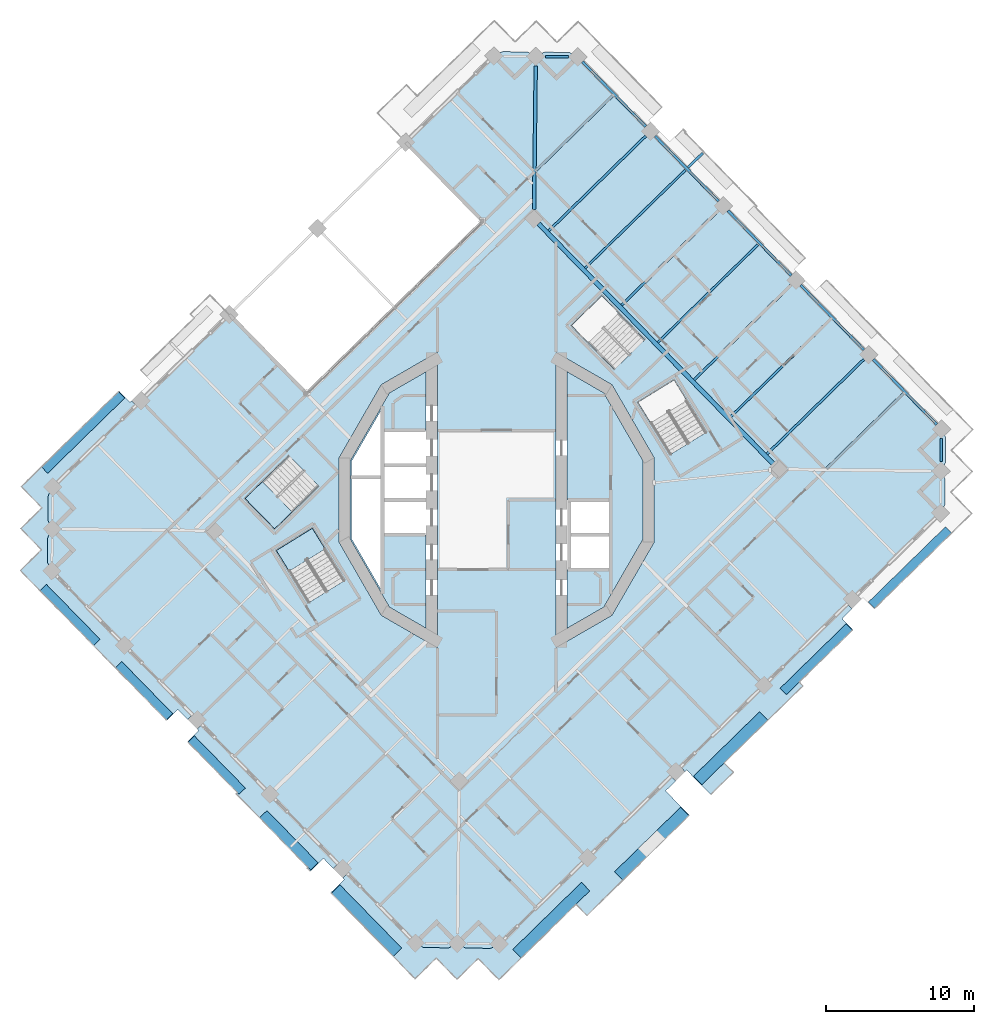
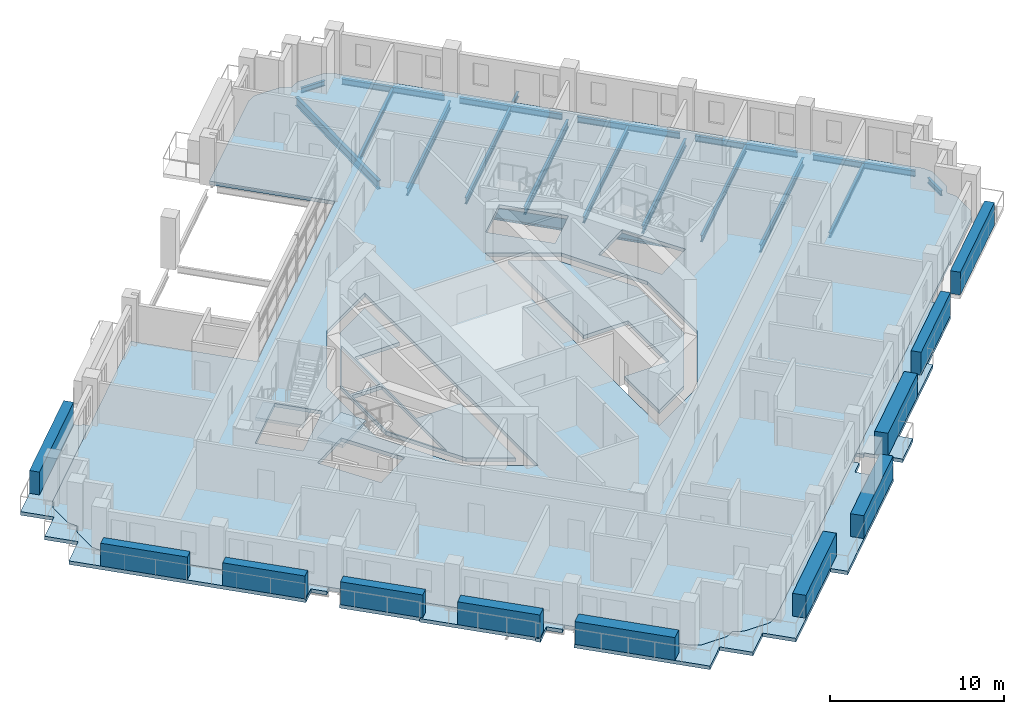
# One storey, part 3 of 18: 19 beams, 11 plates, 9 slabs, 2 elements without a shape of their own.
"""IFC4 building model written with IfcOpenShell, lengths in metres."""

from ifc_helpers import new_model, si_unit, direction, frame, origin, origin_2d, place, context, subcontext, project, spatial, polyline, rectangle, i_section, outline, extrude, material, layer, layer_set, material_profile, profile_set, type_object, element, aggregate, save


model = new_model("IFC4")

# Units and contexts
model_context = context("Model", 3, precision=1e-05, world=origin(), true_north=direction((0.0, 1.0)))
body_context = subcontext(model_context, "Body", "Model", "MODEL_VIEW")
ifc_project = project(units=[si_unit("LENGTHUNIT", "METRE"), si_unit("AREAUNIT", "SQUARE_METRE"), si_unit("VOLUMEUNIT", "CUBIC_METRE"), si_unit("PLANEANGLEUNIT", "RADIAN"), si_unit("MASSUNIT", "GRAM", prefix="KILO")], contexts=[model_context])

# Site, building, storey
site_placement = place(None, origin())
site = spatial("IfcSite", under=ifc_project, at=site_placement, CompositionType="ELEMENT")
building_placement = place(site_placement, origin())
building = spatial("IfcBuilding", under=site, at=building_placement, Name="Cantera Rosa Tower", CompositionType="ELEMENT")
storey_placement = place(building_placement, frame((0.0, 0.0, 219.800048828125)))
storey = spatial("IfcBuildingStorey", under=building, at=storey_placement, Name="L47", CompositionType="ELEMENT", Elevation=219.800048828125)

# Beams
ifc_material_1 = material(Name="Steel ASTM A992 (Fy 345 MPa)", Category="steel")
ifc_material_profile_1 = material_profile(ifc_material_1, i_section(OverallWidth=0.302001953125, OverallDepth=1.010009765625, WebThickness=0.02099609375, FlangeThickness=0.0400390625, FilletRadius=0.030029296875, at=origin_2d()), Name="W1000X350")
ifc_profile_set_1 = profile_set([ifc_material_profile_1], Name="Steel ASTM A992 (Fy 345 MPa)")
beam_type_1 = type_object("IfcBeamType", Name="STEEL BEAM W1000X350", PredefinedType="BEAM", material=ifc_profile_set_1)
beam_1_placement = place(storey_placement, frame((18.69677734375, 2.39892578125, -0.755126953125), z_axis=(-0.698831294804, 0.715286530981, 0.0), x_axis=(-0.715286530981, -0.698831294804, 0.0)))
element("IfcBeam", 1, at=beam_1_placement, inside=storey, type_object=beam_type_1, Name="RB-Z4-05 L47", PredefinedType="BEAM", context=body_context, shape_type="SweptSolid", body=[
    extrude(i_section(OverallWidth=0.302001953125, OverallDepth=1.010009765625, WebThickness=0.02099609375, FlangeThickness=0.0400390625, FilletRadius=0.030029296875, at=origin_2d()), origin(), (0.0, 0.0, 1.0), 22.7001953125),
])
ifc_material_2 = material(Name="Steel ASTM A992 (Fy 345 MPa)", Category="steel")
ifc_material_profile_2 = material_profile(ifc_material_2, i_section(OverallWidth=0.166015625, OverallDepth=0.528076171875, WebThickness=0.009765625, FlangeThickness=0.013671875, FilletRadius=0.0126953125, at=origin_2d()), Name="W530X74")
ifc_profile_set_2 = profile_set([ifc_material_profile_2], Name="Steel ASTM A992 (Fy 345 MPa)")
beam_type_2 = type_object("IfcBeamType", Name="STEEL BEAM W530X74", PredefinedType="BEAM", material=ifc_profile_set_2)
for number, where, z_axis, x_axis, name in (
    (2, (24.77587890625, 9.484619140625, -0.51416015625), (-0.71529025682, -0.698827481213, 0.0), (0.698827481213, -0.71529025682, 0.0), "G-Z4-01 L47"),
    (3, (19.8701171875, 14.505859375, -0.51416015625), (-0.71529025682, -0.698827481213, 0.0), (0.698827481213, -0.71529025682, 0.0), "G-Z4-02 L47"),
    (4, (14.96435546875, 19.527099609375, -0.51416015625), (-0.71529025682, -0.698827481213, 0.0), (0.698827481213, -0.71529025682, 0.0), "G-Z4-03 L47"),
    (5, (10.05859375, 24.548583984375, -0.51416015625), (-0.71529025682, -0.698827481213, 0.0), (0.698827481213, -0.71529025682, 0.0), "G-Z4-04 L47"),
):
    element("IfcBeam", number, at=place(storey_placement, frame(where, z_axis=z_axis, x_axis=x_axis)), inside=storey, type_object=beam_type_2, Name=name, PredefinedType="BEAM", context=body_context, shape_type="SweptSolid", body=[
        extrude(i_section(OverallWidth=0.166015625, OverallDepth=0.528076171875, WebThickness=0.009765625, FlangeThickness=0.013671875, FilletRadius=0.0126953125, at=origin_2d()), origin(), (0.0, 0.0, 1.0), 9.14990234375),
    ])
ifc_material_3 = material(Name="Steel ASTM A992 (Fy 345 MPa)", Category="steel")
ifc_material_profile_3 = material_profile(ifc_material_3, i_section(OverallWidth=0.22802734375, OverallDepth=0.60205078125, WebThickness=0.010498046875, FlangeThickness=0.014892578125, FilletRadius=0.0126953125, at=origin_2d()), Name="W610X101")
ifc_profile_set_3 = profile_set([ifc_material_profile_3], Name="Steel ASTM A992 (Fy 345 MPa)")
beam_type_3 = type_object("IfcBeamType", Name="STEEL BEAM W610X101", PredefinedType="BEAM", material=ifc_profile_set_3)
beam_2_placement = place(storey_placement, frame((2.638916015625, 29.28076171875, -0.551025390625), z_axis=(-0.011618330597, -0.999932504919, 0.0), x_axis=(0.999932504919, -0.011618330597, 0.0)))
element("IfcBeam", 6, at=beam_2_placement, inside=storey, type_object=beam_type_3, Name="CB-Z4-01 L47", PredefinedType="BEAM", context=body_context, shape_type="SweptSolid", body=[
    extrude(i_section(OverallWidth=0.22802734375, OverallDepth=0.60205078125, WebThickness=0.010498046875, FlangeThickness=0.014892578125, FilletRadius=0.0126953125, at=origin_2d()), origin(), (0.0, 0.0, 1.0), 9.687255859375),
])
ifc_material_4 = material(Name="Steel ASTM A992 (Fy 345 MPa)", Category="steel")
ifc_material_profile_4 = material_profile(ifc_material_4, i_section(OverallWidth=0.1708984375, OverallDepth=0.35595703125, WebThickness=0.00732421875, FlangeThickness=0.01171875, FilletRadius=0.010009765625, at=origin_2d()), Name="W360X51")
ifc_profile_set_4 = profile_set([ifc_material_profile_4], Name="Steel ASTM A992 (Fy 345 MPa)")
beam_type_4 = type_object("IfcBeamType", Name="STEEL JOIST W360X51", PredefinedType="JOIST", material=ifc_profile_set_4)
for number, where, z_axis, x_axis, name in (
    (7, (27.443359375, 7.18359375, -0.427978515625), (-0.715287213552, -0.69883059616, 0.0), (0.69883059616, -0.715287213552, 0.0), "B-Z4-01 L47"),
    (8, (7.8203125, 27.268798828125, -0.427978515625), (-0.715287213552, -0.69883059616, 0.0), (0.69883059616, -0.715287213552, 0.0), "B-Z4-05 L47"),
):
    element("IfcBeam", number, at=place(storey_placement, frame(where, z_axis=z_axis, x_axis=x_axis)), inside=storey, type_object=beam_type_4, Name=name, PredefinedType="JOIST", context=body_context, shape_type="SweptSolid", body=[
        extrude(i_section(OverallWidth=0.1708984375, OverallDepth=0.35595703125, WebThickness=0.00732421875, FlangeThickness=0.01171875, FilletRadius=0.010009765625, at=origin_2d()), origin(), (0.0, 0.0, 1.0), 7.2099609375),
    ])
beam_3_placement = place(storey_placement, frame((12.92626953125, 22.443115234375, -0.427978515625), z_axis=(0.715278545481, 0.698839468243, 0.0), x_axis=(-0.698839468243, 0.715278545481, 0.0)))
element("IfcBeam", 9, at=beam_3_placement, inside=storey, type_object=beam_type_4, Name="BS-Z4-08 L47", PredefinedType="JOIST", context=body_context, shape_type="SweptSolid", body=[
    extrude(i_section(OverallWidth=0.1708984375, OverallDepth=0.35595703125, WebThickness=0.00732421875, FlangeThickness=0.01171875, FilletRadius=0.010009765625, at=origin_2d()), origin(), (0.0, 0.0, 1.0), 1.3662109375),
])
ifc_material_5 = material(Name="Steel ASTM A992 (Fy 345 MPa)", Category="steel")
ifc_material_profile_5 = material_profile(ifc_material_5, i_section(OverallWidth=0.154052734375, OverallDepth=0.4599609375, WebThickness=0.009033203125, FlangeThickness=0.015380859375, FilletRadius=0.01025390625, at=origin_2d()), Name="W460X68")
ifc_profile_set_5 = profile_set([ifc_material_profile_5], Name="Steel ASTM A992 (Fy 345 MPa)")
beam_type_5 = type_object("IfcBeamType", Name="STEEL JOIST W460X68", PredefinedType="JOIST", material=ifc_profile_set_5)
for number, where, z_axis, x_axis, name in (
    (10, (22.53759765625, 12.204833984375, -0.47998046875), (-0.715287278354, -0.698830529832, 0.0), (0.698830529832, -0.715287278354, 0.0), "B-Z4-02 L47"),
    (11, (17.6318359375, 17.226318359375, -0.47998046875), (-0.715287278354, -0.698830529832, 0.0), (0.698830529832, -0.715287278354, 0.0), "B-Z4-03 L47"),
    (12, (12.72607421875, 22.24755859375, -0.47998046875), (-0.715287278354, -0.698830529832, 0.0), (0.698830529832, -0.715287278354, 0.0), "B-Z4-04 L47"),
):
    element("IfcBeam", number, at=place(storey_placement, frame(where, z_axis=z_axis, x_axis=x_axis)), inside=storey, type_object=beam_type_5, Name=name, PredefinedType="JOIST", context=body_context, shape_type="SweptSolid", body=[
        extrude(i_section(OverallWidth=0.154052734375, OverallDepth=0.4599609375, WebThickness=0.009033203125, FlangeThickness=0.015380859375, FilletRadius=0.01025390625, at=origin_2d()), origin(), (0.0, 0.0, 1.0), 9.4501953125),
    ])
ifc_material_6 = material(Name="Steel ASTM A992 (Fy 345 MPa)", Category="steel")
ifc_material_profile_6 = material_profile(ifc_material_6, i_section(OverallWidth=0.1708984375, OverallDepth=0.35595703125, WebThickness=0.00732421875, FlangeThickness=0.01171875, FilletRadius=0.010009765625, at=origin_2d()), Name="W360X51")
ifc_profile_set_6 = profile_set([ifc_material_profile_6], Name="Steel ASTM A992 (Fy 345 MPa)")
beam_type_6 = type_object("IfcBeamType", Name="STEEL SPANDREL BEAM W360X51", PredefinedType="SPANDREL", material=ifc_profile_set_6)
for number, where, z_axis, x_axis, name in (
    (13, (4.838134765625, 29.8916015625, -0.427978515625), (-0.999930716123, 0.011771276677, 0.0), (-0.011771276677, -0.999930716123, 0.0), "EB-Z4-06 L47"),
    (14, (29.97802734375, 2.5859375, -0.427978515625), (0.011614347636, 0.99993255119, 0.0), (-0.99993255119, 0.011614347636, 0.0), "EB-Z4-28 L47"),
):
    element("IfcBeam", number, at=place(storey_placement, frame(where, z_axis=z_axis, x_axis=x_axis)), inside=storey, type_object=beam_type_6, Name=name, PredefinedType="SPANDREL", context=body_context, shape_type="SweptSolid", body=[
        extrude(i_section(OverallWidth=0.1708984375, OverallDepth=0.35595703125, WebThickness=0.00732421875, FlangeThickness=0.01171875, FilletRadius=0.010009765625, at=origin_2d()), origin(), (0.0, 0.0, 1.0), 1.555419921875),
    ])
ifc_material_7 = material(Name="Steel ASTM A992 (Fy 345 MPa)", Category="steel")
ifc_material_profile_7 = material_profile(ifc_material_7, i_section(OverallWidth=0.177978515625, OverallDepth=0.406005859375, WebThickness=0.0078125, FlangeThickness=0.0126953125, FilletRadius=0.01025390625, at=origin_2d()), Name="W410X60")
ifc_profile_set_7 = profile_set([ifc_material_profile_7], Name="Steel ASTM A992 (Fy 345 MPa)")
beam_type_7 = type_object("IfcBeamType", Name="STEEL SPANDREL BEAM W410X60", PredefinedType="SPANDREL", material=ifc_profile_set_7)
beam_4_placement = place(storey_placement, frame((29.689208984375, 5.099609375, -0.453125), z_axis=(-0.69882117953, 0.715296413412, 0.0), x_axis=(-0.715296413412, -0.69882117953, 0.0)))
element("IfcBeam", 15, at=beam_4_placement, inside=storey, type_object=beam_type_7, Name="EB-Z4-01 L47", PredefinedType="SPANDREL", context=body_context, shape_type="SweptSolid", body=[
    extrude(i_section(OverallWidth=0.177978515625, OverallDepth=0.406005859375, WebThickness=0.0078125, FlangeThickness=0.0126953125, FilletRadius=0.01025390625, at=origin_2d()), origin(), (0.0, 0.0, 1.0), 6.1201171875),
])
for number, where, z_axis, x_axis, name in (
    (16, (24.783203125, 10.120849609375, -0.453125), (-0.698800768177, 0.715316354067, 0.0), (-0.715316354067, -0.698800768177, 0.0), "EB-Z4-02 L47"),
    (17, (19.87744140625, 15.142333984375, -0.453125), (-0.698841120217, 0.71527693147, 0.0), (-0.71527693147, -0.698841120217, 0.0), "EB-Z4-03 L47"),
    (18, (14.9716796875, 20.16357421875, -0.453125), (-0.698841120217, 0.71527693147, 0.0), (-0.71527693147, -0.698841120217, 0.0), "EB-Z4-04 L47"),
):
    element("IfcBeam", number, at=place(storey_placement, frame(where, z_axis=z_axis, x_axis=x_axis)), inside=storey, type_object=beam_type_7, Name=name, PredefinedType="SPANDREL", context=body_context, shape_type="SweptSolid", body=[
        extrude(i_section(OverallWidth=0.177978515625, OverallDepth=0.406005859375, WebThickness=0.0078125, FlangeThickness=0.0126953125, FilletRadius=0.01025390625, at=origin_2d()), origin(), (0.0, 0.0, 1.0), 6.119873046875),
    ])
beam_5_placement = place(storey_placement, frame((10.06591796875, 25.184814453125, -0.453125), z_axis=(-0.69882117953, 0.715296413412, 0.0), x_axis=(-0.715296413412, -0.69882117953, 0.0)))
element("IfcBeam", 19, at=beam_5_placement, inside=storey, type_object=beam_type_7, Name="EB-Z4-05 L47", PredefinedType="SPANDREL", context=body_context, shape_type="SweptSolid", body=[
    extrude(i_section(OverallWidth=0.177978515625, OverallDepth=0.406005859375, WebThickness=0.0078125, FlangeThickness=0.0126953125, FilletRadius=0.01025390625, at=origin_2d()), origin(), (0.0, 0.0, 1.0), 6.1201171875),
])

# Slabs
ifc_material_8 = material(Name="Concrete C35/45", Category="concrete")
ifc_layer_1 = layer(ifc_material_8, 0.25)
ifc_layer_set_1 = layer_set([ifc_layer_1], Name="COMPOSITE FLOOR SLAB 250 C35/45")
slab_type_1 = type_object("IfcSlabType", Name="COMPOSITE FLOOR SLAB 250 C35/45", PredefinedType="FLOOR", material=ifc_layer_set_1)
slab_1_placement = place(storey_placement, frame((0.0, 0.0, -0.25)))
element("IfcSlab", 20, at=slab_1_placement, inside=storey, type_object=slab_type_1, Name="SLAB L47 floor 1", PredefinedType="FLOOR", context=body_context, shape_type="SweptSolid", body=[
    extrude(outline(polyline([(-7.699951171875, 0.0), (-7.699951171875, -2.35009765625), (-4.75, -2.35009765625), (-4.75, -8.660400390625), (-7.22900390625, -7.22900390625), (-9.875244140625, -2.64599609375), (-9.875244140625, 2.64599609375), (-7.22900390625, 7.22900390625), (-4.75, 8.660400390625), (-4.75, 4.699951171875), (-7.699951171875, 4.699951171875), (-7.699951171875, 2.35009765625), (-7.699951171875, 0.0)]), holes=[polyline([(-7.800048828125, 1.439208984375), (-9.775146484375, 1.439208984375), (-9.775146484375, -2.619384765625), (-7.800048828125, -6.040283203125), (-7.800048828125, 1.439208984375)]), polyline([(-7.800048828125, 6.040283203125), (-9.775146484375, 2.619384765625), (-9.775146484375, 1.639404296875), (-7.800048828125, 1.639404296875), (-7.800048828125, 6.040283203125)])]), origin(), (0.0, 0.0, 1.0), 0.25),
])
slab_2_placement = place(storey_placement, frame((0.0, 0.0, -0.25)))
element("IfcSlab", 21, at=slab_2_placement, inside=storey, type_object=slab_type_1, Name="SLAB L47 floor 2", PredefinedType="FLOOR", context=body_context, shape_type="SweptSolid", body=[
    extrude(outline(polyline([(-2.1279296875, -30.200439453125), (-2.154541015625, -30.1875), (-2.646484375, -29.917236328125), (-3.144287109375, -30.176025390625), (-3.171142578125, -30.188232421875), (-3.198974609375, -30.197998046875), (-3.2275390625, -30.20458984375), (-3.2568359375, -30.208740234375), (-3.2861328125, -30.209716796875), (-4.841796875, -30.191650390625), (-4.87109375, -30.18994140625), (-4.900146484375, -30.185302734375), (-4.9287109375, -30.177734375), (-4.956298828125, -30.16748046875), (-4.982666015625, -30.154541015625), (-5.474609375, -29.88427734375), (-30.003662109375, -4.777587890625), (-30.262451171875, -4.27978515625), (-30.274658203125, -4.2529296875), (-30.2841796875, -4.22509765625), (-30.291015625, -4.196533203125), (-30.295166015625, -4.167236328125), (-30.296142578125, -4.137939453125), (-30.278076171875, -2.58251953125), (-30.2763671875, -2.552978515625), (-30.271484375, -2.52392578125), (-30.26416015625, -2.495361328125), (-30.25390625, -2.4677734375), (-30.240966796875, -2.44140625), (-29.970703125, -1.949462890625), (-30.2294921875, -1.451416015625), (-30.24169921875, -1.4248046875), (-30.25146484375, -1.39697265625), (-30.25830078125, -1.368408203125), (-30.26220703125, -1.339111328125), (-30.26318359375, -1.309814453125), (-30.2451171875, 0.245849609375), (-30.243408203125, 0.275146484375), (-30.23876953125, 0.30419921875), (-30.231201171875, 0.332763671875), (-30.220947265625, 0.3603515625), (-30.2080078125, 0.386962890625), (-29.937744140625, 0.878662109375), (-18.035400390625, 12.50732421875), (-12.794189453125, 7.142578125), (-0.891845703125, 18.771240234375), (-6.133056640625, 24.1357421875), (-0.883056640625, 29.26513671875), (-0.181884765625, 29.9501953125), (0.316162109375, 30.208984375), (0.343017578125, 30.22119140625), (0.37060546875, 30.230712890625), (0.3994140625, 30.237548828125), (0.4287109375, 30.24169921875), (0.4580078125, 30.24267578125), (2.013427734375, 30.224609375), (2.04296875, 30.222900390625), (2.072021484375, 30.218017578125), (2.100341796875, 30.210693359375), (2.1279296875, 30.200439453125), (2.154541015625, 30.1875), (2.646484375, 29.917236328125), (3.144287109375, 30.176025390625), (3.171142578125, 30.188232421875), (3.198974609375, 30.197998046875), (3.2275390625, 30.20458984375), (3.2568359375, 30.208740234375), (3.2861328125, 30.209716796875), (4.841796875, 30.191650390625), (4.87109375, 30.18994140625), (4.900146484375, 30.185302734375), (4.9287109375, 30.177734375), (4.956298828125, 30.16748046875), (4.982666015625, 30.154541015625), (5.474609375, 29.88427734375), (30.003662109375, 4.777587890625), (30.262451171875, 4.27978515625), (30.274658203125, 4.2529296875), (30.2841796875, 4.22509765625), (30.291015625, 4.196533203125), (30.295166015625, 4.167236328125), (30.296142578125, 4.137939453125), (30.278076171875, 2.58251953125), (30.2763671875, 2.552978515625), (30.271484375, 2.52392578125), (30.26416015625, 2.495361328125), (30.25390625, 2.4677734375), (30.240966796875, 2.44140625), (29.970703125, 1.949462890625), (30.2294921875, 1.451416015625), (30.24169921875, 1.4248046875), (30.25146484375, 1.39697265625), (30.25830078125, 1.368408203125), (30.26220703125, 1.339111328125), (30.26318359375, 1.309814453125), (30.2451171875, -0.245849609375), (30.243408203125, -0.275146484375), (30.23876953125, -0.30419921875), (30.231201171875, -0.332763671875), (30.220947265625, -0.3603515625), (30.2080078125, -0.386962890625), (29.937744140625, -0.878662109375), (0.883056640625, -29.26513671875), (0.181884765625, -29.9501953125), (-0.316162109375, -30.208984375), (-0.343017578125, -30.22119140625), (-0.37060546875, -30.230712890625), (-0.3994140625, -30.237548828125), (-0.4287109375, -30.24169921875), (-0.4580078125, -30.24267578125), (-2.013427734375, -30.224609375), (-2.04296875, -30.222900390625), (-2.072021484375, -30.218017578125), (-2.100341796875, -30.210693359375), (-2.1279296875, -30.200439453125)]), holes=[polyline([(-12.430908203125, -1.911376953125), (-14.8564453125, -3.407470703125), (-12.68408203125, -6.929443359375), (-10.258544921875, -5.433349609375), (-12.430908203125, -1.911376953125)]), polyline([(-7.7783203125, 7.7783203125), (-10.625244140625, 2.846923828125), (-10.625244140625, -2.846923828125), (-7.7783203125, -7.7783203125), (-4.0, -9.95947265625), (-4.0, 9.95947265625), (-7.7783203125, 7.7783203125)]), polyline([(-14.0029296875, 2.9892578125), (-16.962890625, 0.097412109375), (-14.97119140625, -1.941162109375), (-12.01123046875, 0.95068359375), (-14.0029296875, 2.9892578125)]), polyline([(7.7783203125, -7.7783203125), (10.625244140625, -2.846923828125), (10.625244140625, 2.846923828125), (7.7783203125, 7.7783203125), (4.0, 9.95947265625), (4.0, -9.95947265625), (7.7783203125, -7.7783203125)]), polyline([(14.1416015625, 4.566650390625), (11.96923828125, 8.088623046875), (9.54345703125, 6.592529296875), (11.7158203125, 3.070556640625), (14.1416015625, 4.566650390625)]), polyline([(9.9892578125, 10.802978515625), (7.097412109375, 13.762939453125), (5.058837890625, 11.771240234375), (7.95068359375, 8.811279296875), (9.9892578125, 10.802978515625)])]), origin(), (0.0, 0.0, 1.0), 0.25),
])
slab_3_placement = place(storey_placement, frame((0.0, 0.0, -0.25)))
element("IfcSlab", 22, at=slab_3_placement, inside=storey, type_object=slab_type_1, Name="SLAB L47 floor 3", PredefinedType="FLOOR", context=body_context, shape_type="SweptSolid", body=[
    extrude(outline(polyline([(7.699951171875, -2.35009765625), (7.699951171875, 0.0), (4.75, 0.0), (4.75, 8.660400390625), (7.22900390625, 7.22900390625), (9.875244140625, 2.64599609375), (9.875244140625, -2.64599609375), (7.22900390625, -7.22900390625), (4.75, -8.660400390625), (4.75, -4.699951171875), (7.699951171875, -4.699951171875), (7.699951171875, -2.35009765625)])), origin(), (0.0, 0.0, 1.0), 0.25),
])
ifc_material_9 = material(Name="Concrete C35/45", Category="concrete")
ifc_layer_2 = layer(ifc_material_9, 0.25)
ifc_layer_set_2 = layer_set([ifc_layer_2], Name="LOGGIA SLAB 250 C35/45")
slab_type_2 = type_object("IfcSlabType", Name="LOGGIA SLAB 250 C35/45", PredefinedType="FLOOR", material=ifc_layer_set_2)
slab_4_placement = place(storey_placement, frame((0.0, 0.0, -0.25)))
element("IfcSlab", 23, at=slab_4_placement, inside=storey, type_object=slab_type_2, Name="LOGGIA SLAB L47 1", PredefinedType="FLOOR", context=body_context, shape_type="SweptSolid", body=[
    extrude(outline(polyline([(-27.218994140625, -9.7744140625), (-31.076416015625, -5.825927734375), (-32.124755859375, -4.753173828125), (-31.0517578125, -3.704833984375), (-30.694091796875, -3.35546875), (-31.043701171875, -2.997802734375), (-32.091796875, -1.9248046875), (-31.018798828125, -0.876708984375), (-30.661376953125, -0.527099609375), (-31.0107421875, -0.16943359375), (-32.05908203125, 0.9033203125), (-30.986083984375, 1.95166015625), (-26.10791015625, 6.7177734375), (-25.464111328125, 7.3466796875), (-24.730224609375, 6.595703125), (-24.622802734375, 6.700439453125), (-24.30859375, 6.37841796875), (-29.937744140625, 0.878662109375), (-30.2080078125, 0.386962890625), (-30.220947265625, 0.3603515625), (-30.231201171875, 0.332763671875), (-30.23876953125, 0.30419921875), (-30.243408203125, 0.275146484375), (-30.2451171875, 0.245849609375), (-30.26318359375, -1.309814453125), (-30.26220703125, -1.339111328125), (-30.25830078125, -1.368408203125), (-30.25146484375, -1.39697265625), (-30.24169921875, -1.4248046875), (-30.2294921875, -1.451416015625), (-29.970703125, -1.949462890625), (-30.240966796875, -2.44140625), (-30.25390625, -2.4677734375), (-30.26416015625, -2.495361328125), (-30.271484375, -2.52392578125), (-30.2763671875, -2.552978515625), (-30.278076171875, -2.58251953125), (-30.296142578125, -4.137939453125), (-30.295166015625, -4.167236328125), (-30.291015625, -4.196533203125), (-30.2841796875, -4.22509765625), (-30.274658203125, -4.2529296875), (-30.262451171875, -4.27978515625), (-30.003662109375, -4.777587890625), (-20.506591796875, -14.49853515625), (-20.828369140625, -14.81298828125), (-21.4921875, -14.13330078125), (-22.243408203125, -14.8671875), (-22.313232421875, -14.795654296875), (-25.12255859375, -11.920166015625), (-27.218994140625, -9.7744140625)])), origin(), (0.0, 0.0, 1.0), 0.25),
])
slab_5_placement = place(storey_placement, frame((0.0, 0.0, -0.25)))
element("IfcSlab", 24, at=slab_5_placement, inside=storey, type_object=slab_type_2, Name="LOGGIA SLAB L47 3", PredefinedType="FLOOR", context=body_context, shape_type="SweptSolid", body=[
    extrude(outline(polyline([(-17.57177734375, -19.815185546875), (-17.488525390625, -19.73388671875), (-20.216796875, -16.94140625), (-20.845703125, -16.2978515625), (-20.094482421875, -15.56396484375), (-20.199462890625, -15.456787109375), (-19.87744140625, -15.14208984375), (-10.69482421875, -24.541015625), (-11.016845703125, -24.855712890625), (-11.6806640625, -24.176025390625), (-12.57470703125, -25.049560546875), (-12.784423828125, -24.8349609375), (-12.724609375, -24.776611328125), (-17.57177734375, -19.815185546875)])), origin(), (0.0, 0.0, 1.0), 0.25),
])
slab_6_placement = place(storey_placement, frame((0.0, 0.0, -0.25)))
element("IfcSlab", 25, at=slab_6_placement, inside=storey, type_object=slab_type_2, Name="LOGGIA SLAB L47 5", PredefinedType="FLOOR", context=body_context, shape_type="SweptSolid", body=[
    extrude(outline(polyline([(1.369873046875, -31.166015625), (0.15380859375, -32.35400390625), (-1.0341796875, -31.13818359375), (-1.243896484375, -30.923583984375), (-1.45849609375, -31.13330078125), (-2.67431640625, -32.3212890625), (-3.8623046875, -31.105224609375), (-4.072021484375, -30.890625), (-4.28662109375, -31.100341796875), (-5.502685546875, -32.288330078125), (-6.690673828125, -31.072265625), (-11.177001953125, -26.480224609375), (-10.282958984375, -25.606689453125), (-10.3876953125, -25.499267578125), (-10.06591796875, -25.184814453125), (-5.474609375, -29.88427734375), (-4.982666015625, -30.154541015625), (-4.956298828125, -30.16748046875), (-4.9287109375, -30.177734375), (-4.900146484375, -30.185302734375), (-4.87109375, -30.18994140625), (-4.841796875, -30.191650390625), (-3.2861328125, -30.209716796875), (-3.2568359375, -30.208740234375), (-3.2275390625, -30.20458984375), (-3.198974609375, -30.197998046875), (-3.171142578125, -30.188232421875), (-3.144287109375, -30.176025390625), (-2.646484375, -29.917236328125), (-2.154541015625, -30.1875), (-2.1279296875, -30.200439453125), (-2.100341796875, -30.210693359375), (-2.072021484375, -30.218017578125), (-2.04296875, -30.222900390625), (-2.013427734375, -30.224609375), (-0.4580078125, -30.24267578125), (-0.4287109375, -30.24169921875), (-0.3994140625, -30.237548828125), (-0.37060546875, -30.230712890625), (-0.343017578125, -30.22119140625), (-0.316162109375, -30.208984375), (0.181884765625, -29.9501953125), (0.883056640625, -29.26513671875), (11.76220703125, -18.635986328125), (12.076904296875, -18.9580078125), (11.397216796875, -19.621826171875), (13.002197265625, -21.264404296875), (6.087890625, -28.019775390625), (5.3564453125, -27.271240234375), (1.369873046875, -31.166015625)])), origin(), (0.0, 0.0, 1.0), 0.25),
])
slab_7_placement = place(storey_placement, frame((0.0, 0.0, -0.25)))
element("IfcSlab", 26, at=slab_7_placement, inside=storey, type_object=slab_type_2, Name="LOGGIA SLAB L47 7", PredefinedType="FLOOR", context=body_context, shape_type="SweptSolid", body=[
    extrude(outline(polyline([(12.720703125, -18.3291015625), (12.406005859375, -18.007080078125), (23.664794921875, -7.007568359375), (23.979248046875, -7.329345703125), (23.2998046875, -7.9931640625), (24.033447265625, -8.744384765625), (23.9619140625, -8.814208984375), (20.416015625, -12.278564453125), (20.669189453125, -12.537841796875), (15.350341796875, -17.734375), (15.968017578125, -18.36669921875), (14.4326171875, -19.86669921875), (12.827880859375, -18.22412109375), (12.720703125, -18.3291015625)])), origin(), (0.0, 0.0, 1.0), 0.25),
])

# Plates
ifc_material_10 = material(Name="Cantera stone planter with soil", Category="masonry")
plate_type_1 = type_object("IfcPlateType", Name="PLANTER 600", PredefinedType="USERDEFINED", material=ifc_material_10)
plate_1_placement = place(storey_placement, frame((-27.89013671875, 4.556884765625, 0.0), z_axis=(0.0, 0.0, 1.0), x_axis=(-0.71528629107, -0.698831540364, 0.0)))
element("IfcPlate", 27, at=plate_1_placement, inside=storey, type_object=plate_type_1, Name="PLANTER L47-10", ObjectType="PLANTER", PredefinedType="USERDEFINED", context=body_context, shape_type="SweptSolid", body=[
    extrude(rectangle(XDim=7.27001953125, YDim=0.60009765625, at=origin_2d()), origin(), (0.0, 0.0, 1.0), 1.60009765625),
])
plate_2_placement = place(storey_placement, frame((-28.77587890625, -7.75146484375, 0.0), z_axis=(0.0, 0.0, 1.0), x_axis=(0.698831540364, -0.71528629107, 0.0)))
element("IfcPlate", 28, at=plate_2_placement, inside=storey, type_object=plate_type_1, Name="PLANTER L47-11", ObjectType="PLANTER", PredefinedType="USERDEFINED", context=body_context, shape_type="SweptSolid", body=[
    extrude(rectangle(XDim=5.169921875, YDim=0.60009765625, at=origin_2d()), origin(), (0.0, 0.0, 1.0), 1.60009765625),
])
for number, where, z_axis, x_axis, name in (
    (29, (-23.78271484375, -12.8623046875, 0.0), (0.0, 0.0, 1.0), (0.698831540364, -0.71528629107, 0.0), "PLANTER L47-12"),
    (30, (-18.876953125, -17.883544921875, 0.0), (0.0, 0.0, 1.0), (0.698831540364, -0.71528629107, 0.0), "PLANTER L47-13"),
):
    element("IfcPlate", number, at=place(storey_placement, frame(where, z_axis=z_axis, x_axis=x_axis)), inside=storey, type_object=plate_type_1, Name=name, ObjectType="PLANTER", PredefinedType="USERDEFINED", context=body_context, shape_type="SweptSolid", body=[
        extrude(rectangle(XDim=4.919921875, YDim=0.60009765625, at=origin_2d()), origin(), (0.0, 0.0, 1.0), 1.60009765625),
    ])
plate_3_placement = place(storey_placement, frame((21.5634765625, -10.738037109375, 0.0), z_axis=(0.0, 0.0, 1.0), x_axis=(0.71528629107, 0.698831540364, 0.0)))
element("IfcPlate", 31, at=plate_3_placement, inside=storey, type_object=plate_type_1, Name="PLANTER L47-19", ObjectType="PLANTER", PredefinedType="USERDEFINED", context=body_context, shape_type="SweptSolid", body=[
    extrude(rectangle(XDim=6.219970703125, YDim=0.60009765625, at=origin_2d()), origin(), (0.0, 0.0, 1.0), 1.60009765625),
])
plate_4_placement = place(storey_placement, frame((27.89013671875, -4.556884765625, 0.0), z_axis=(0.0, 0.0, 1.0), x_axis=(0.71528629107, 0.698831540364, 0.0)))
element("IfcPlate", 32, at=plate_4_placement, inside=storey, type_object=plate_type_1, Name="PLANTER L47-20", ObjectType="PLANTER", PredefinedType="USERDEFINED", context=body_context, shape_type="SweptSolid", body=[
    extrude(rectangle(XDim=7.27001953125, YDim=0.60009765625, at=origin_2d()), origin(), (0.0, 0.0, 1.0), 1.60009765625),
])
ifc_material_11 = material(Name="Cantera stone planter with soil", Category="masonry")
plate_type_2 = type_object("IfcPlateType", Name="PLANTER 700", PredefinedType="USERDEFINED", material=ifc_material_11)
plate_5_placement = place(storey_placement, frame((-14.0185546875, -22.951171875, 0.0), z_axis=(0.0, 0.0, 1.0), x_axis=(0.698831540364, -0.71528629107, 0.0)))
element("IfcPlate", 33, at=plate_5_placement, inside=storey, type_object=plate_type_2, Name="PLANTER L47-14", ObjectType="PLANTER", PredefinedType="USERDEFINED", context=body_context, shape_type="SweptSolid", body=[
    extrude(rectangle(XDim=4.919921875, YDim=0.699951171875, at=origin_2d()), origin(), (0.0, 0.0, 1.0), 1.60009765625),
])
ifc_material_12 = material(Name="Cantera stone planter with soil", Category="masonry")
plate_type_3 = type_object("IfcPlateType", Name="PLANTER 800", PredefinedType="USERDEFINED", material=ifc_material_12)
plate_6_placement = place(storey_placement, frame((-8.77001953125, -28.37158203125, 0.0), z_axis=(0.0, 0.0, 1.0), x_axis=(0.698831540364, -0.71528629107, 0.0)))
element("IfcPlate", 34, at=plate_6_placement, inside=storey, type_object=plate_type_3, Name="PLANTER L47-15", ObjectType="PLANTER", PredefinedType="USERDEFINED", context=body_context, shape_type="SweptSolid", body=[
    extrude(rectangle(XDim=5.969970703125, YDim=0.800048828125, at=origin_2d()), origin(), (0.0, 0.0, 1.0), 1.60009765625),
])
plate_7_placement = place(storey_placement, frame((3.6904296875, -28.33984375, 0.0), z_axis=(0.0, 0.0, 1.0), x_axis=(0.71528629107, 0.698831540364, 0.0)))
element("IfcPlate", 35, at=plate_7_placement, inside=storey, type_object=plate_type_3, Name="PLANTER L47-16", ObjectType="PLANTER", PredefinedType="USERDEFINED", context=body_context, shape_type="SweptSolid", body=[
    extrude(rectangle(XDim=6.469970703125, YDim=0.800048828125, at=origin_2d()), origin(), (0.0, 0.0, 1.0), 1.60009765625),
])
for number, where, z_axis, x_axis, name in (
    (36, (10.46240234375, -23.186767578125, 0.0), (0.0, 0.0, 1.0), (0.71528629107, 0.698831540364, 0.0), "PLANTER L47-17"),
    (37, (15.795654296875, -16.739990234375, 0.0), (0.0, 0.0, 1.0), (0.71528629107, 0.698831540364, 0.0), "PLANTER L47-18"),
):
    element("IfcPlate", number, at=place(storey_placement, frame(where, z_axis=z_axis, x_axis=x_axis)), inside=storey, type_object=plate_type_3, Name=name, ObjectType="PLANTER", PredefinedType="USERDEFINED", context=body_context, shape_type="SweptSolid", body=[
        extrude(rectangle(XDim=6.219970703125, YDim=0.800048828125, at=origin_2d()), origin(), (0.0, 0.0, 1.0), 1.60009765625),
    ])

# Stair, slab
ifc_material_13 = material(Name="Concrete C35/45", Category="concrete")
stair_type = type_object("IfcStairType", Name="EXIT STAIR 1350 DOGLEG", PredefinedType="HALF_TURN_STAIR", material=ifc_material_13)
stair_1_placement = place(storey_placement, origin())
stair_1 = element("IfcStair", 38, at=stair_1_placement, inside=storey, type_object=stair_type, Name="L47 ST-43", PredefinedType="HALF_TURN_STAIR")
ifc_material_14 = material(Name="Concrete C35/45", Category="concrete")
ifc_layer_3 = layer(ifc_material_14, 0.199951171875)
ifc_layer_set_3 = layer_set([ifc_layer_3], Name="STAIR LANDING 200")
slab_type_3 = type_object("IfcSlabType", Name="STAIR LANDING 200", PredefinedType="LANDING", material=ifc_layer_set_3)
slab_8_placement = place(storey_placement, frame((0.0, 0.0, 1.599853515625)))
slab_8 = element("IfcSlab", 39, at=slab_8_placement, type_object=slab_type_3, Name="ST-43 landing 1", PredefinedType="LANDING", context=body_context, shape_type="SweptSolid", body=[
    extrude(outline(polyline([(-15.788330078125, 1.244873046875), (-16.962890625, 0.097412109375), (-14.97119140625, -1.941162109375), (-13.796630859375, -0.793701171875), (-15.788330078125, 1.244873046875)])), origin(), (0.0, 0.0, 1.0), 0.2001953125),
])
aggregate(stair_1, [slab_8])

stair_2_placement = place(storey_placement, origin())
stair_2 = element("IfcStair", 40, at=stair_2_placement, inside=storey, type_object=stair_type, Name="L47 ST-44", PredefinedType="HALF_TURN_STAIR")
slab_9_placement = place(storey_placement, frame((0.0, 0.0, 1.599853515625)))
slab_9 = element("IfcSlab", 41, at=slab_9_placement, type_object=slab_type_3, Name="ST-44 landing 1", PredefinedType="LANDING", context=body_context, shape_type="SweptSolid", body=[
    extrude(outline(polyline([(-11.56884765625, -3.308837890625), (-12.430908203125, -1.911376953125), (-14.8564453125, -3.407470703125), (-13.99462890625, -4.80517578125), (-11.56884765625, -3.308837890625)])), origin(), (0.0, 0.0, 1.0), 0.2001953125),
])
aggregate(stair_2, [slab_9])

save(model, "model.ifc")
